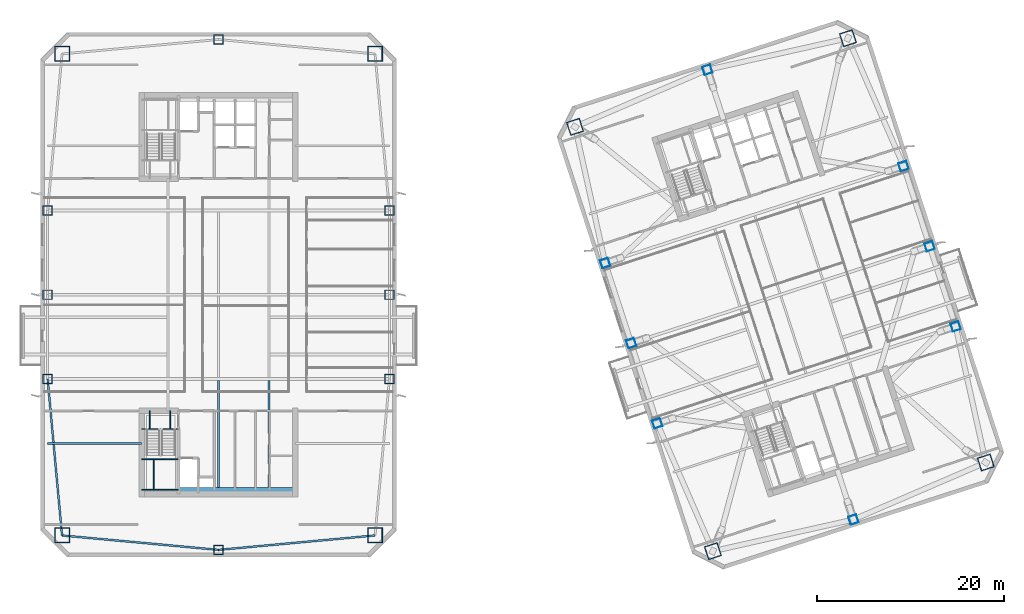
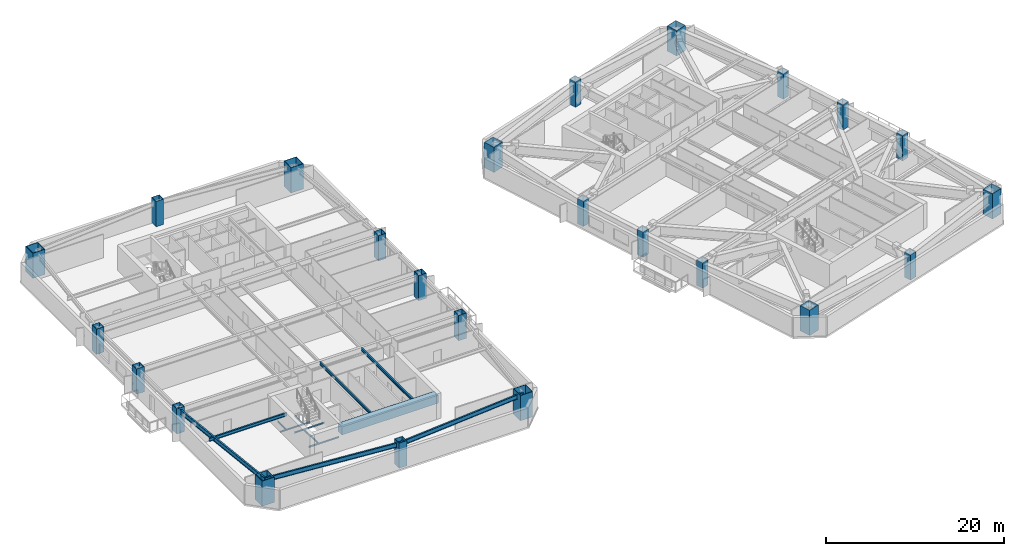
# One storey, part 1 of 17: 24 columns, 13 beams.
"""IFC4 building model written with IfcOpenShell, lengths in metres."""

from ifc_helpers import new_model, si_unit, direction, frame, origin, origin_2d, place, context, subcontext, project, spatial, rectangle, hollow_rectangle, i_section, extrude, material, material_profile, profile_set, type_object, element, save


model = new_model("IFC4")

# Units and contexts
model_context = context("Model", 3, precision=1e-05, world=origin(), true_north=direction((0.0, 1.0)))
body_context = subcontext(model_context, "Body", "Model", "MODEL_VIEW")
ifc_project = project(units=[si_unit("LENGTHUNIT", "METRE"), si_unit("AREAUNIT", "SQUARE_METRE"), si_unit("VOLUMEUNIT", "CUBIC_METRE"), si_unit("PLANEANGLEUNIT", "RADIAN"), si_unit("MASSUNIT", "GRAM", prefix="KILO")], contexts=[model_context])

# Site, building, storey
site_placement = place(None, origin())
site = spatial("IfcSite", under=ifc_project, at=site_placement, CompositionType="ELEMENT")
building_placement = place(site_placement, origin())
building = spatial("IfcBuilding", under=site, at=building_placement, Name="Qiaolan Cultural Towers", CompositionType="ELEMENT")
storey_placement = place(building_placement, frame((0.0, 0.0, 131.10009765625)))
storey = spatial("IfcBuildingStorey", under=building, at=storey_placement, Name="L34", CompositionType="ELEMENT", Elevation=131.10009765625)

# Columns
ifc_material_1 = material(Name="Steel Q355B", Category="steel")
ifc_material_profile_1 = material_profile(ifc_material_1, hollow_rectangle(XDim=1.0, YDim=1.0, WallThickness=0.035888671875, at=origin_2d()), Name="BOX1000x1000x36")
ifc_profile_set_1 = profile_set([ifc_material_profile_1], Name="Steel Q355B")
column_type_1 = type_object("IfcColumnType", Name="COL-BOX1000x1000x36", PredefinedType="COLUMN", material=ifc_profile_set_1)
for number, where, z_axis, x_axis, name in (
    (1, (11.75, 25.0, 0.0), (0.0, 0.0, 1.0), (1.0, 0.0, 0.0), "L34 T1 Perimeter Column PC-W1"),
    (2, (11.75, 34.0, 0.0), (0.0, 0.0, 1.0), (1.0, 0.0, 0.0), "L34 T1 Perimeter Column PC-W2"),
    (3, (11.75, 43.0, 0.0), (0.0, 0.0, 1.0), (1.0, 0.0, 0.0), "L34 T1 Perimeter Column PC-W3"),
    (4, (48.25, 25.0, 0.0), (0.0, 0.0, 1.0), (1.0, 0.0, 0.0), "L34 T1 Perimeter Column PC-E1"),
    (5, (48.25, 34.0, 0.0), (0.0, 0.0, 1.0), (1.0, 0.0, 0.0), "L34 T1 Perimeter Column PC-E2"),
    (6, (48.25, 43.0, 0.0), (0.0, 0.0, 1.0), (1.0, 0.0, 0.0), "L34 T1 Perimeter Column PC-E3"),
    (7, (30.0, 6.75, 0.0), (0.0, 0.0, 1.0), (1.0, 0.0, 0.0), "L34 T1 Perimeter Column PC-S0"),
    (8, (30.0, 61.25, 0.0), (0.0, 0.0, 1.0), (1.0, 0.0, 0.0), "L34 T1 Perimeter Column PC-N0"),
):
    element("IfcColumn", number, at=place(storey_placement, frame(where, z_axis=z_axis, x_axis=x_axis)), inside=storey, type_object=column_type_1, Name=name, PredefinedType="COLUMN", context=body_context, shape_type="SweptSolid", body=[
        extrude(hollow_rectangle(XDim=1.0, YDim=1.0, WallThickness=0.035888671875, at=origin_2d()), origin(), (0.0, 0.0, 1.0), 3.450927734375),
    ])
ifc_material_2 = material(Name="Steel Q420GJB", Category="steel")
ifc_material_profile_2 = material_profile(ifc_material_2, hollow_rectangle(XDim=1.449951171875, YDim=1.449951171875, WallThickness=0.050048828125, at=origin_2d()), Name="BOX1450x1450x50")
ifc_profile_set_2 = profile_set([ifc_material_profile_2], Name="Steel Q420GJB")
column_type_2 = type_object("IfcColumnType", Name="COL-BOX1450x1450x50", PredefinedType="COLUMN", material=ifc_profile_set_2)
for number, where, z_axis, x_axis, name in (
    (9, (82.79052734375, 6.611572265625, 0.0), (0.0, 0.0, 1.0), (0.951056516295, 0.309016994375, 0.0), "L34 T2 Perimeter Column MC-SW"),
    (10, (111.930908203125, 16.080078125, 0.0), (0.0, 0.0, 1.0), (0.951056516295, 0.309016994375, 0.0), "L34 T2 Perimeter Column MC-SE"),
    (11, (97.20947265625, 61.388427734375, 0.0), (0.0, 0.0, 1.0), (0.951056516295, 0.309016994375, 0.0), "L34 T2 Perimeter Column MC-NE"),
    (12, (68.069091796875, 51.919921875, 0.0), (0.0, 0.0, 1.0), (0.951056516295, 0.309016994375, 0.0), "L34 T2 Perimeter Column MC-NW"),
):
    element("IfcColumn", number, at=place(storey_placement, frame(where, z_axis=z_axis, x_axis=x_axis)), inside=storey, type_object=column_type_2, Name=name, PredefinedType="COLUMN", context=body_context, shape_type="SweptSolid", body=[
        extrude(hollow_rectangle(XDim=1.449951171875, YDim=1.449951171875, WallThickness=0.050048828125, at=origin_2d()), origin(), (0.0, 0.0, 1.0), 3.450927734375),
    ])
ifc_material_3 = material(Name="Steel Q420GJB", Category="steel")
ifc_material_profile_3 = material_profile(ifc_material_3, hollow_rectangle(XDim=1.60009765625, YDim=1.60009765625, WallThickness=0.054931640625, at=origin_2d()), Name="BOX1600x1600x55")
ifc_profile_set_3 = profile_set([ifc_material_profile_3], Name="Steel Q420GJB")
column_type_3 = type_object("IfcColumnType", Name="COL-BOX1600x1600x55", PredefinedType="COLUMN", material=ifc_profile_set_3)
for number, where, z_axis, x_axis, name in (
    (13, (13.2900390625, 8.2900390625, 0.0), (0.0, 0.0, 1.0), (1.0, 0.0, 0.0), "L34 T1 Perimeter Column MC-SW"),
    (14, (46.7099609375, 8.2900390625, 0.0), (0.0, 0.0, 1.0), (1.0, 0.0, 0.0), "L34 T1 Perimeter Column MC-SE"),
    (15, (46.7099609375, 59.7099609375, 0.0), (0.0, 0.0, 1.0), (1.0, 0.0, 0.0), "L34 T1 Perimeter Column MC-NE"),
    (16, (13.2900390625, 59.7099609375, 0.0), (0.0, 0.0, 1.0), (1.0, 0.0, 0.0), "L34 T1 Perimeter Column MC-NW"),
):
    element("IfcColumn", number, at=place(storey_placement, frame(where, z_axis=z_axis, x_axis=x_axis)), inside=storey, type_object=column_type_3, Name=name, PredefinedType="COLUMN", context=body_context, shape_type="SweptSolid", body=[
        extrude(hollow_rectangle(XDim=1.60009765625, YDim=1.60009765625, WallThickness=0.054931640625, at=origin_2d()), origin(), (0.0, 0.0, 1.0), 3.450927734375),
    ])
ifc_material_4 = material(Name="Steel Q355B", Category="steel")
ifc_material_profile_4 = material_profile(ifc_material_4, hollow_rectangle(XDim=0.89990234375, YDim=0.89990234375, WallThickness=0.031982421875, at=origin_2d()), Name="BOX900x900x32")
ifc_profile_set_4 = profile_set([ifc_material_profile_4], Name="Steel Q355B")
column_type_4 = type_object("IfcColumnType", Name="COL-BOX900x900x32", PredefinedType="COLUMN", material=ifc_profile_set_4)
for number, where, z_axis, x_axis, name in (
    (17, (76.85107421875, 20.264404296875, 0.0), (0.0, 0.0, 1.0), (0.951056516295, 0.309016994375, 0.0), "L34 T2 Perimeter Column PC-W1"),
    (18, (74.06982421875, 28.823974609375, 0.0), (0.0, 0.0, 1.0), (0.951056516295, 0.309016994375, 0.0), "L34 T2 Perimeter Column PC-W2"),
    (19, (71.28857421875, 37.383544921875, 0.0), (0.0, 0.0, 1.0), (0.951056516295, 0.309016994375, 0.0), "L34 T2 Perimeter Column PC-W3"),
    (20, (108.71142578125, 30.616455078125, 0.0), (0.0, 0.0, 1.0), (0.951056516295, 0.309016994375, 0.0), "L34 T2 Perimeter Column PC-E1"),
    (21, (105.93017578125, 39.176025390625, 0.0), (0.0, 0.0, 1.0), (0.951056516295, 0.309016994375, 0.0), "L34 T2 Perimeter Column PC-E2"),
    (22, (103.14892578125, 47.735595703125, 0.0), (0.0, 0.0, 1.0), (0.951056516295, 0.309016994375, 0.0), "L34 T2 Perimeter Column PC-E3"),
    (23, (97.802734375, 9.98583984375, 0.0), (0.0, 0.0, 1.0), (0.951056516295, 0.309016994375, 0.0), "L34 T2 Perimeter Column PC-S0"),
    (24, (82.197265625, 58.01416015625, 0.0), (0.0, 0.0, 1.0), (0.951056516295, 0.309016994375, 0.0), "L34 T2 Perimeter Column PC-N0"),
):
    element("IfcColumn", number, at=place(storey_placement, frame(where, z_axis=z_axis, x_axis=x_axis)), inside=storey, type_object=column_type_4, Name=name, PredefinedType="COLUMN", context=body_context, shape_type="SweptSolid", body=[
        extrude(hollow_rectangle(XDim=0.89990234375, YDim=0.89990234375, WallThickness=0.031982421875, at=origin_2d()), origin(), (0.0, 0.0, 1.0), 3.450927734375),
    ])

# Beams
ifc_material_5 = material(Name="Steel Q355B", Category="steel")
ifc_material_profile_5 = material_profile(ifc_material_5, i_section(OverallWidth=0.199951171875, OverallDepth=0.39990234375, WebThickness=0.008056640625, FlangeThickness=0.012939453125, at=origin_2d()), Name="HN400x200x8x13")
ifc_profile_set_5 = profile_set([ifc_material_profile_5], Name="Steel Q355B")
beam_type_1 = type_object("IfcBeamType", Name="BM-JST-HN400x200x8x13", PredefinedType="JOIST", material=ifc_profile_set_5)
for number, where, z_axis, x_axis, name in (
    (25, (30.0, 13.39990234375, 2.989990234375), (0.0, 1.0, 0.0), (-1.0, 0.0, 0.0), "L34 T1 Secondary Floor Joist U2-1"),
    (26, (35.39990234375, 13.39990234375, 2.989990234375), (0.0, 1.0, 0.0), (-1.0, 0.0, 0.0), "L34 T1 Secondary Floor Joist U3-1"),
):
    element("IfcBeam", number, at=place(storey_placement, frame(where, z_axis=z_axis, x_axis=x_axis)), inside=storey, type_object=beam_type_1, Name=name, PredefinedType="JOIST", context=body_context, shape_type="SweptSolid", body=[
        extrude(i_section(OverallWidth=0.199951171875, OverallDepth=0.39990234375, WebThickness=0.008056640625, FlangeThickness=0.012939453125, at=origin_2d()), origin(), (0.0, 0.0, 1.0), 11.4501953125),
    ])
ifc_material_6 = material(Name="Steel Q355B", Category="steel")
ifc_material_profile_6 = material_profile(ifc_material_6, i_section(OverallWidth=0.199951171875, OverallDepth=0.449951171875, WebThickness=0.009033203125, FlangeThickness=0.013916015625, at=origin_2d()), Name="HN450x200x9x14")
ifc_profile_set_6 = profile_set([ifc_material_profile_6], Name="Steel Q355B")
beam_type_2 = type_object("IfcBeamType", Name="BM-LNT-HN450x200x9x14", PredefinedType="LINTEL", material=ifc_profile_set_6)
beam_1_placement = place(storey_placement, frame((21.800048828125, 18.10009765625, 2.96484375), z_axis=(-1.0, 0.0, 0.0), x_axis=(0.0, -1.0, 0.0)))
element("IfcBeam", 27, at=beam_1_placement, inside=storey, type_object=beam_type_2, Name="L34 T1 Core Flank Tie Lintel WS", PredefinedType="LINTEL", context=body_context, shape_type="SweptSolid", body=[
    extrude(i_section(OverallWidth=0.199951171875, OverallDepth=0.449951171875, WebThickness=0.009033203125, FlangeThickness=0.013916015625, at=origin_2d()), origin(), (0.0, 0.0, 1.0), 10.050048828125),
])
ifc_material_7 = material(Name="Concrete C50", Category="concrete")
ifc_material_profile_7 = material_profile(ifc_material_7, rectangle(XDim=0.89990234375, YDim=1.10009765625, at=origin_2d()), Name="RC900x1100")
ifc_profile_set_7 = profile_set([ifc_material_profile_7], Name="Concrete C50")
beam_type_3 = type_object("IfcBeamType", Name="BM-RC900x1100", PredefinedType="BEAM", material=ifc_profile_set_7)
beam_2_placement = place(storey_placement, frame((25.719970703125, 12.949951171875, 2.639892578125), z_axis=(1.0, 0.0, 0.0), x_axis=(0.0, 1.0, 0.0)))
element("IfcBeam", 28, at=beam_2_placement, inside=storey, type_object=beam_type_3, Name="L34 T1 Core Header Girder S", PredefinedType="BEAM", context=body_context, shape_type="SweptSolid", body=[
    extrude(rectangle(XDim=0.89990234375, YDim=1.10009765625, at=origin_2d()), origin(), (0.0, 0.0, 1.0), 12.47998046875),
])
ifc_material_8 = material(Name="Steel Q355B", Category="steel")
ifc_material_profile_8 = material_profile(ifc_material_8, i_section(OverallWidth=0.199951171875, OverallDepth=0.60009765625, WebThickness=0.010986328125, FlangeThickness=0.01708984375, at=origin_2d()), Name="HN600x200x11x17")
ifc_profile_set_8 = profile_set([ifc_material_profile_8], Name="Steel Q355B")
beam_type_4 = type_object("IfcBeamType", Name="BM-SPD-HN600x200x11x17", PredefinedType="SPANDREL", material=ifc_profile_set_8)
for number, where, z_axis, x_axis, name in (
    (29, (13.2900390625, 8.2900390625, 2.889892578125), (0.995779862064, -0.09177399582, 0.0), (0.09177399582, 0.995779862064, 0.0), "L34 T1 Perimeter Spandrel Beam 1"),
    (30, (30.0, 6.75, 2.889892578125), (0.995779862064, 0.09177399582, 0.0), (-0.09177399582, 0.995779862064, 0.0), "L34 T1 Perimeter Spandrel Beam 2"),
    (31, (11.75, 25.0, 2.889892578125), (0.09177399582, -0.995779862064, 0.0), (0.995779862064, 0.09177399582, 0.0), "L34 T1 Perimeter Spandrel Beam 12"),
):
    element("IfcBeam", number, at=place(storey_placement, frame(where, z_axis=z_axis, x_axis=x_axis)), inside=storey, type_object=beam_type_4, Name=name, PredefinedType="SPANDREL", context=body_context, shape_type="SweptSolid", body=[
        extrude(i_section(OverallWidth=0.199951171875, OverallDepth=0.60009765625, WebThickness=0.010986328125, FlangeThickness=0.01708984375, at=origin_2d()), origin(), (0.0, 0.0, 1.0), 16.78076171875),
    ])
ifc_material_9 = material(Name="Steel Q355B", Category="steel")
ifc_material_profile_9 = material_profile(ifc_material_9, i_section(OverallWidth=0.10009765625, OverallDepth=0.199951171875, WebThickness=0.005615234375, FlangeThickness=0.008056640625, at=origin_2d()), Name="HN200x100x5.5x8")
ifc_profile_set_9 = profile_set([ifc_material_profile_9], Name="Steel Q355B")
beam_type_5 = type_object("IfcBeamType", Name="BM-STTRIM-200", PredefinedType="BEAM", material=ifc_profile_set_9)
beam_3_placement = place(storey_placement, frame((21.800048828125, 19.659912109375, -0.460205078125), z_axis=(1.0, 0.0, 0.0), x_axis=(0.0, 1.0, 0.0)))
element("IfcBeam", 32, at=beam_3_placement, inside=storey, type_object=beam_type_5, Name="L34 ST-W1 Floor Landing Header Beam", PredefinedType="BEAM", context=body_context, shape_type="SweptSolid", body=[
    extrude(i_section(OverallWidth=0.10009765625, OverallDepth=0.199951171875, WebThickness=0.005615234375, FlangeThickness=0.008056640625, at=origin_2d()), origin(), (0.0, 0.0, 1.0), 3.919921875),
])
for number, where, z_axis, x_axis, name in (
    (33, (22.64990234375, 21.60009765625, -0.460205078125), (0.0, -1.0, 0.0), (1.0, 0.0, 0.0), "L34 ST-W1 Floor Landing Stringer 1"),
    (34, (24.85009765625, 21.60009765625, -0.460205078125), (0.0, -1.0, 0.0), (1.0, 0.0, 0.0), "L34 ST-W1 Floor Landing Stringer 2"),
):
    element("IfcBeam", number, at=place(storey_placement, frame(where, z_axis=z_axis, x_axis=x_axis)), inside=storey, type_object=beam_type_5, Name=name, PredefinedType="BEAM", context=body_context, shape_type="SweptSolid", body=[
        extrude(i_section(OverallWidth=0.10009765625, OverallDepth=0.199951171875, WebThickness=0.005615234375, FlangeThickness=0.008056640625, at=origin_2d()), origin(), (0.0, 0.0, 1.0), 1.940185546875),
    ])
for number, where, z_axis, x_axis, name in (
    (35, (21.800048828125, 16.411376953125, 1.4248046875), (1.0, 0.0, 0.0), (0.0, 1.0, 0.0), "L34 ST-W1 Stair Landing Support Beam 1-1"),
    (36, (21.800048828125, 13.179931640625, 1.4248046875), (1.0, 0.0, 0.0), (0.0, 1.0, 0.0), "L34 ST-W1 Stair Landing Support Beam 1-2"),
):
    element("IfcBeam", number, at=place(storey_placement, frame(where, z_axis=z_axis, x_axis=x_axis)), inside=storey, type_object=beam_type_5, Name=name, PredefinedType="BEAM", context=body_context, shape_type="SweptSolid", body=[
        extrude(i_section(OverallWidth=0.10009765625, OverallDepth=0.199951171875, WebThickness=0.005615234375, FlangeThickness=0.008056640625, at=origin_2d()), origin(), (0.0, 0.0, 1.0), 3.919921875),
    ])
beam_4_placement = place(storey_placement, frame((23.070068359375, 16.411376953125, 1.4248046875), z_axis=(0.0, -1.0, 0.0), x_axis=(1.0, 0.0, 0.0)))
element("IfcBeam", 37, at=beam_4_placement, inside=storey, type_object=beam_type_5, Name="L34 ST-W1 Stair Landing Trimmer 1", PredefinedType="BEAM", context=body_context, shape_type="SweptSolid", body=[
    extrude(i_section(OverallWidth=0.10009765625, OverallDepth=0.199951171875, WebThickness=0.005615234375, FlangeThickness=0.008056640625, at=origin_2d()), origin(), (0.0, 0.0, 1.0), 3.2314453125),
])

save(model, "model.ifc")
